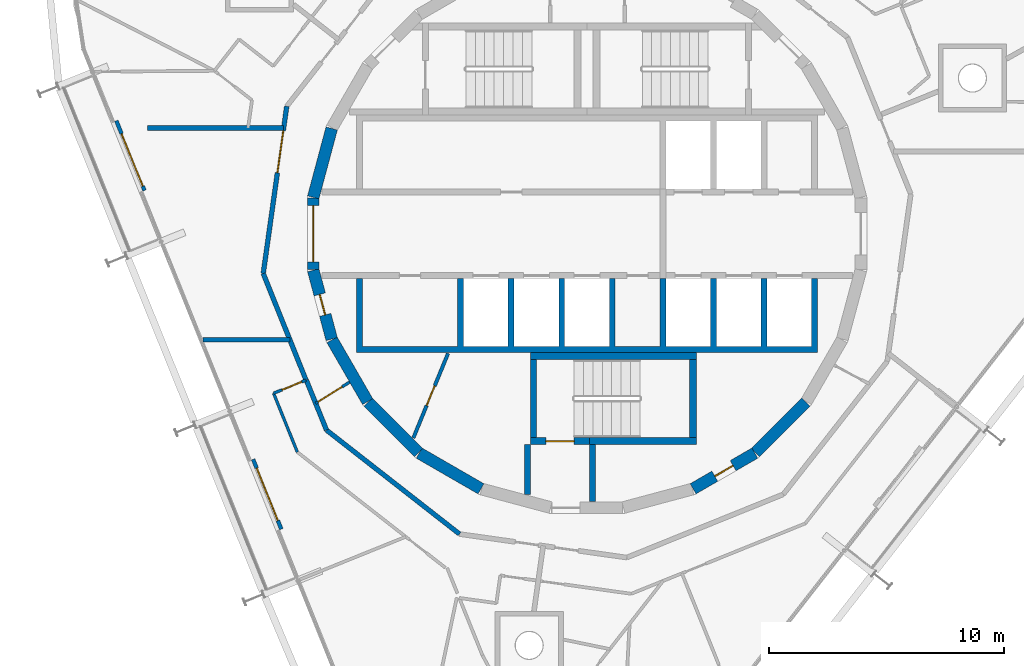
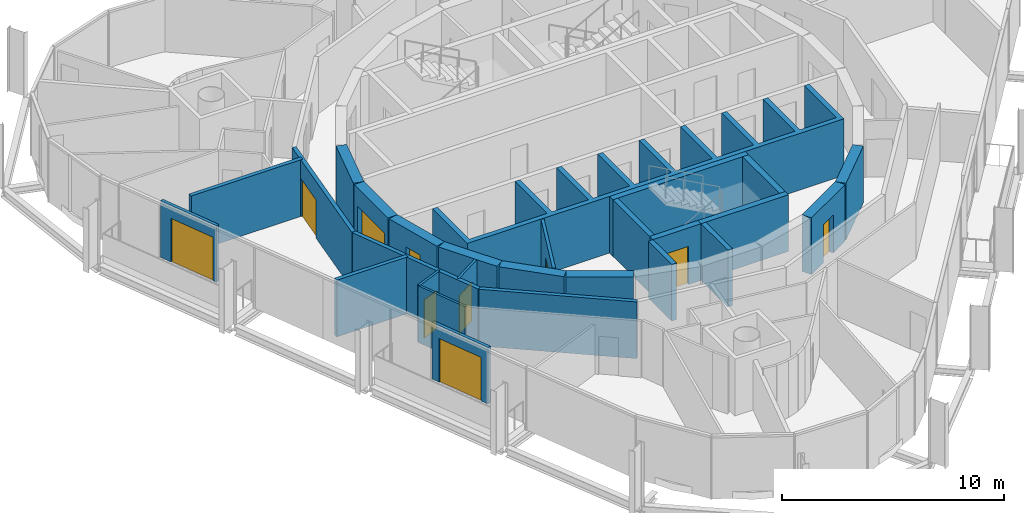
# One storey, part 10 of 15: 28 walls, 10 doors, 10 openings.
"""IFC4 building model written with IfcOpenShell, lengths in metres."""

from ifc_helpers import new_model, si_unit, direction, frame, frame_2d, origin, place, context, subcontext, project, spatial, polyline, rectangle, outline, extrude, material, layer, layer_set, type_object, element, fill, save


model = new_model("IFC4")

# Units and contexts
model_context = context("Model", 3, precision=1e-05, world=origin(), true_north=direction((0.0, 1.0)))
body_context = subcontext(model_context, "Body", "Model", "MODEL_VIEW")
ifc_project = project(units=[si_unit("LENGTHUNIT", "METRE"), si_unit("AREAUNIT", "SQUARE_METRE"), si_unit("VOLUMEUNIT", "CUBIC_METRE"), si_unit("PLANEANGLEUNIT", "RADIAN"), si_unit("MASSUNIT", "GRAM", prefix="KILO")], contexts=[model_context])

# Site, building, storey
site_placement = place(None, origin())
site = spatial("IfcSite", under=ifc_project, at=site_placement, CompositionType="ELEMENT")
building_placement = place(site_placement, origin())
building = spatial("IfcBuilding", under=site, at=building_placement, Name="Spindle Arch Residences", CompositionType="ELEMENT")
storey_placement = place(building_placement, frame((0.0, 0.0, 357.5)))
storey = spatial("IfcBuildingStorey", under=building, at=storey_placement, Name="L92", CompositionType="ELEMENT", Elevation=357.5)

# Wall, opening, door
ifc_material_1 = material(Name="Concrete C50/60", Category="concrete")
ifc_layer_1 = layer(ifc_material_1, 0.5)
ifc_layer_set_1 = layer_set([ifc_layer_1], Name="Core outline wall 500")
wall_type_1 = type_object("IfcWallType", Name="Core outline wall 500", PredefinedType="SHEAR", material=ifc_layer_set_1)
wall_1_placement = place(storey_placement, frame((4.510498046875, -10.84521484375, 0.0), z_axis=(0.0, 0.0, 1.0), x_axis=(0.865975092491, 0.500087131594, 0.0)))
wall_1 = element("IfcWall", 1, at=wall_1_placement, inside=storey, type_object=wall_type_1, Name="Core outline wall 2", PredefinedType="SHEAR", context=body_context, shape_type="SweptSolid", body=[
    extrude(rectangle(XDim=3.03271484375, YDim=0.5, at=frame_2d((1.516357421875, 0.0))), origin(), (0.0, 0.0, 1.0), 3.1201171875),
])
opening_1_placement = place(wall_1_placement, frame((1.06640625, 0.0, 0.0)))
opening_1 = element("IfcOpeningElement", 2, at=opening_1_placement, cuts=wall_1, Name="Opening R9C1-WD08", PredefinedType="OPENING", context=body_context, shape_type="SweptSolid", body=[
    extrude(rectangle(XDim=0.89990234375, YDim=2.10009765625, at=frame_2d((0.449951171875, 1.050048828125))), frame((0.0, 0.260009765625, 0.0), z_axis=(0.0, -1.0, 0.0), x_axis=(1.0, 0.0, 0.0)), (0.0, 0.0, 1.0), 0.52001953125),
])
ifc_material_2 = material(Name="Steel, fire-resisting door", Category="steel")
door_type_1 = type_object("IfcDoorType", Name="Service room door 900x2100", OperationType="SINGLE_SWING_LEFT", PredefinedType="DOOR", material=ifc_material_2)
door_1_placement = place(opening_1_placement, origin())
door_1 = element("IfcDoor", 3, at=door_1_placement, inside=storey, type_object=door_type_1, Name="Service room door R9C1-WD08", OperationType="SINGLE_SWING_RIGHT", OverallHeight=2.10009765625, OverallWidth=0.89990234375, PredefinedType="DOOR", context=body_context, shape_type="SweptSolid", body=[
    extrude(rectangle(XDim=0.89990234375, YDim=2.10009765625, at=frame_2d((0.449951171875, 1.050048828125))), frame((0.0, 0.02490234375, 0.0), z_axis=(0.0, -1.0, 0.0), x_axis=(1.0, 0.0, 0.0)), (0.0, 0.0, 1.0), 0.050048828125),
])
fill(opening_1, door_1)

# Walls
wall_2_placement = place(storey_placement, frame((7.163818359375, -9.30810546875, 0.0), z_axis=(0.0, 0.0, 1.0), x_axis=(0.707106781187, 0.707106781187, 0.0)))
element("IfcWall", 4, at=wall_2_placement, inside=storey, type_object=wall_type_1, Name="Core outline wall 3", PredefinedType="SHEAR", context=body_context, shape_type="SweptSolid", body=[
    extrude(rectangle(XDim=3.032470703125, YDim=0.5, at=frame_2d((1.51611328125, 0.0))), origin(), (0.0, 0.0, 1.0), 3.1201171875),
])
wall_3_placement = place(storey_placement, frame((-10.858154296875, 4.479248046875, 0.0), z_axis=(0.0, 0.0, 1.0), x_axis=(-0.258734743916, -0.965948410781, 0.0)))
element("IfcWall", 5, at=wall_3_placement, inside=storey, type_object=wall_type_1, Name="Core outline wall 17", PredefinedType="SHEAR", context=body_context, shape_type="SweptSolid", body=[
    extrude(rectangle(XDim=3.03271484375, YDim=0.5, at=frame_2d((1.516357421875, 0.0))), origin(), (0.0, 0.0, 1.0), 3.1201171875),
])

# Wall, opening, door
wall_4_placement = place(storey_placement, frame((-11.647216796875, 1.516357421875, 0.0), z_axis=(0.0, 0.0, 1.0), x_axis=(0.0, -1.0, 0.0)))
wall_4 = element("IfcWall", 6, at=wall_4_placement, inside=storey, type_object=wall_type_1, Name="Core outline wall 18", PredefinedType="SHEAR", context=body_context, shape_type="SweptSolid", body=[
    extrude(rectangle(XDim=3.03271484375, YDim=0.5, at=frame_2d((1.516357421875, 0.0))), origin(), (0.0, 0.0, 1.0), 3.1201171875),
])
opening_2_placement = place(wall_4_placement, frame((0.31640625, 0.0, 0.0)))
opening_2 = element("IfcOpeningElement", 7, at=opening_2_placement, cuts=wall_4, Name="Opening R9C1-LE01", PredefinedType="OPENING", context=body_context, shape_type="SweptSolid", body=[
    extrude(rectangle(XDim=2.39990234375, YDim=2.10009765625, at=frame_2d((1.199951171875, 1.050048828125))), frame((0.0, 0.260009765625, 0.0), z_axis=(0.0, -1.0, 0.0), x_axis=(1.0, 0.0, 0.0)), (0.0, 0.0, 1.0), 0.52001953125),
])
ifc_material_3 = material(Name="Steel, fire-resisting door", Category="steel")
door_type_2 = type_object("IfcDoorType", Name="Lift lobby entrance door 2400x2100", OperationType="DOUBLE_DOOR_SINGLE_SWING", PredefinedType="DOOR", material=ifc_material_3)
door_2_placement = place(opening_2_placement, origin())
door_2 = element("IfcDoor", 8, at=door_2_placement, inside=storey, type_object=door_type_2, Name="Lift lobby entrance door R9C1-LE01", OperationType="DOUBLE_DOOR_SINGLE_SWING", OverallHeight=2.10009765625, OverallWidth=2.39990234375, PredefinedType="DOOR", context=body_context, shape_type="SweptSolid", body=[
    extrude(rectangle(XDim=2.39990234375, YDim=2.10009765625, at=frame_2d((1.199951171875, 1.050048828125))), frame((0.0, 0.02490234375, 0.0), z_axis=(0.0, -1.0, 0.0), x_axis=(1.0, 0.0, 0.0)), (0.0, 0.0, 1.0), 0.050048828125),
])
fill(opening_2, door_2)

wall_5_placement = place(storey_placement, frame((-11.642822265625, -1.5498046875, 0.0), z_axis=(0.0, 0.0, 1.0), x_axis=(0.258734743916, -0.965948410781, 0.0)))
wall_5 = element("IfcWall", 9, at=wall_5_placement, inside=storey, type_object=wall_type_1, Name="Core outline wall 19", PredefinedType="SHEAR", context=body_context, shape_type="SweptSolid", body=[
    extrude(rectangle(XDim=3.03271484375, YDim=0.5, at=frame_2d((1.516357421875, 0.0))), origin(), (0.0, 0.0, 1.0), 3.1201171875),
])
opening_3_placement = place(wall_5_placement, frame((1.06640625, 0.0, 0.0)))
opening_3 = element("IfcOpeningElement", 10, at=opening_3_placement, cuts=wall_5, Name="Opening R9C1-WD09", PredefinedType="OPENING", context=body_context, shape_type="SweptSolid", body=[
    extrude(rectangle(XDim=0.89990234375, YDim=2.10009765625, at=frame_2d((0.449951171875, 1.050048828125))), frame((0.0, 0.260009765625, 0.0), z_axis=(0.0, -1.0, 0.0), x_axis=(1.0, 0.0, 0.0)), (0.0, 0.0, 1.0), 0.52001953125),
])
door_3_placement = place(opening_3_placement, origin())
door_3 = element("IfcDoor", 11, at=door_3_placement, inside=storey, type_object=door_type_1, Name="Service room door R9C1-WD09", OperationType="SINGLE_SWING_LEFT", OverallHeight=2.10009765625, OverallWidth=0.89990234375, PredefinedType="DOOR", context=body_context, shape_type="SweptSolid", body=[
    extrude(rectangle(XDim=0.89990234375, YDim=2.10009765625, at=frame_2d((0.449951171875, 1.050048828125))), frame((0.0, 0.02490234375, 0.0), z_axis=(0.0, -1.0, 0.0), x_axis=(1.0, 0.0, 0.0)), (0.0, 0.0, 1.0), 0.050048828125),
])
fill(opening_3, door_3)

# Walls
wall_6_placement = place(storey_placement, frame((-10.84521484375, -4.510498046875, 0.0), z_axis=(0.0, 0.0, 1.0), x_axis=(0.500087131594, -0.865975092491, 0.0)))
element("IfcWall", 12, at=wall_6_placement, inside=storey, type_object=wall_type_1, Name="Core outline wall 20", PredefinedType="SHEAR", context=body_context, shape_type="SweptSolid", body=[
    extrude(rectangle(XDim=3.03271484375, YDim=0.5, at=frame_2d((1.516357421875, 0.0))), origin(), (0.0, 0.0, 1.0), 3.1201171875),
])
wall_7_placement = place(storey_placement, frame((-9.30810546875, -7.163818359375, 0.0), z_axis=(0.0, 0.0, 1.0), x_axis=(0.707106781187, -0.707106781187, 0.0)))
element("IfcWall", 13, at=wall_7_placement, inside=storey, type_object=wall_type_1, Name="Core outline wall 21", PredefinedType="SHEAR", context=body_context, shape_type="SweptSolid", body=[
    extrude(rectangle(XDim=3.032470703125, YDim=0.5, at=frame_2d((1.51611328125, 0.0))), origin(), (0.0, 0.0, 1.0), 3.1201171875),
])
wall_8_placement = place(storey_placement, frame((-7.13671875, -9.32861328125, 0.0), z_axis=(0.0, 0.0, 1.0), x_axis=(0.865975092491, -0.500087131594, 0.0)))
element("IfcWall", 14, at=wall_8_placement, inside=storey, type_object=wall_type_1, Name="Core outline wall 22", PredefinedType="SHEAR", context=body_context, shape_type="SweptSolid", body=[
    extrude(rectangle(XDim=3.03271484375, YDim=0.5, at=frame_2d((1.516357421875, 0.0))), origin(), (0.0, 0.0, 1.0), 3.1201171875),
])

# Wall, opening, door
ifc_material_4 = material(Name="Plasterboard on steel studs", Category="steel")
ifc_layer_2 = layer(ifc_material_4, 0.1201171875)
ifc_layer_set_2 = layer_set([ifc_layer_2], Name="Corridor division wall 120")
wall_type_2 = type_object("IfcWallType", Name="Corridor division wall 120", PredefinedType="PARTITIONING", material=ifc_layer_set_2)
wall_9_placement = place(storey_placement, frame((-11.539306640625, -7.21044921875, 0.0), z_axis=(0.0, 0.0, 1.0), x_axis=(0.848103039868, 0.529831325769, 0.0)))
wall_9 = element("IfcWall", 15, at=wall_9_placement, inside=storey, type_object=wall_type_2, Name="Corridor division wall R9C1-W003", PredefinedType="PARTITIONING", context=body_context, shape_type="SweptSolid", body=[
    extrude(rectangle(XDim=1.7021484375, YDim=0.1201171875, at=frame_2d((0.85107421875, 0.0))), origin(), (0.0, 0.0, 1.0), 3.1201171875),
])
opening_4_placement = place(wall_9_placement, frame((0.1201171875, 0.0, 0.0)))
opening_4 = element("IfcOpeningElement", 16, at=opening_4_placement, cuts=wall_9, Name="Opening R9C1-CD03", PredefinedType="OPENING", context=body_context, shape_type="SweptSolid", body=[
    extrude(rectangle(XDim=1.199951171875, YDim=2.10009765625, at=frame_2d((0.60009765625, 1.050048828125))), frame((0.0, 0.070068359375, 0.0), z_axis=(0.0, -1.0, 0.0), x_axis=(1.0, 0.0, 0.0)), (0.0, 0.0, 1.0), 0.14013671875),
])
ifc_material_5 = material(Name="Steel, fire-resisting door", Category="steel")
door_type_3 = type_object("IfcDoorType", Name="Corridor division door 1200x2100", OperationType="NOTDEFINED", PredefinedType="DOOR", material=ifc_material_5)
door_4_placement = place(opening_4_placement, origin())
door_4 = element("IfcDoor", 17, at=door_4_placement, inside=storey, type_object=door_type_3, Name="Corridor division door R9C1-CD03", OperationType="DOUBLE_DOOR_SINGLE_SWING", OverallHeight=2.10009765625, OverallWidth=1.199951171875, PredefinedType="DOOR", context=body_context, shape_type="SweptSolid", body=[
    extrude(rectangle(XDim=1.199951171875, YDim=2.10009765625, at=frame_2d((0.60009765625, 1.050048828125))), frame((0.0, 0.02490234375, 0.0), z_axis=(0.0, -1.0, 0.0), x_axis=(1.0, 0.0, 0.0)), (0.0, 0.0, 1.0), 0.050048828125),
])
fill(opening_4, door_4)

# Walls
ifc_material_6 = material(Name="Calcium silicate block, plastered")
ifc_layer_3 = layer(ifc_material_6, 0.199951171875)
ifc_layer_set_3 = layer_set([ifc_layer_3], Name="Corridor wall 200")
wall_type_3 = type_object("IfcWallType", Name="Corridor wall 200", PredefinedType="STANDARD", material=ifc_layer_set_3)
wall_10_placement = place(storey_placement, frame((-11.939453125, -6.2197265625, 0.0), z_axis=(0.0, 0.0, 1.0), x_axis=(0.374651128394, -0.927165860024, 0.0)))
element("IfcWall", 18, at=wall_10_placement, inside=storey, type_object=wall_type_3, Name="Corridor wall R9C1-W013", PredefinedType="STANDARD", context=body_context, shape_type="SweptSolid", body=[
    extrude(rectangle(XDim=2.29638671875, YDim=0.199951171875, at=frame_2d((1.148193359375, 0.0))), origin(), (0.0, 0.0, 1.0), 3.1201171875),
])
wall_11_placement = place(storey_placement, frame((-11.0791015625, -8.348876953125, 0.0), z_axis=(0.0, 0.0, 1.0), x_axis=(0.78800478687, -0.615669112324, 0.0)))
element("IfcWall", 19, at=wall_11_placement, inside=storey, type_object=wall_type_3, Name="Corridor wall R9C1-W014", PredefinedType="STANDARD", context=body_context, shape_type="SweptSolid", body=[
    extrude(rectangle(XDim=7.18115234375, YDim=0.199951171875, at=frame_2d((3.590576171875, 0.0))), origin(), (0.0, 0.0, 1.0), 3.1201171875),
])

# Wall, opening, door
ifc_material_7 = material(Name="Plasterboard on steel studs", Category="steel")
ifc_layer_4 = layer(ifc_material_7, 0.1201171875)
ifc_layer_set_4 = layer_set([ifc_layer_4], Name="Flat partition 120")
wall_type_4 = type_object("IfcWallType", Name="Flat partition 120", PredefinedType="PARTITIONING", material=ifc_layer_set_4)
wall_12_placement = place(storey_placement, frame((-11.953369140625, -6.225341796875, 0.0), z_axis=(0.0, 0.0, 1.0), x_axis=(-0.927144096717, -0.374704982518, 0.0)))
wall_12 = element("IfcWall", 20, at=wall_12_placement, inside=storey, type_object=wall_type_4, Name="Flat partition R9C1-W068", PredefinedType="PARTITIONING", context=body_context, shape_type="SweptSolid", body=[
    extrude(rectangle(XDim=1.48486328125, YDim=0.1201171875, at=frame_2d((0.742431640625, 0.0))), origin(), (0.0, 0.0, 1.0), 3.1201171875),
])
opening_5_placement = place(wall_12_placement, frame((0.199951171875, 0.0, 0.0)))
opening_5 = element("IfcOpeningElement", 21, at=opening_5_placement, cuts=wall_12, Name="Opening R9C1-ID14", PredefinedType="OPENING", context=body_context, shape_type="SweptSolid", body=[
    extrude(rectangle(XDim=0.89990234375, YDim=2.10009765625, at=frame_2d((0.449951171875, 1.050048828125))), frame((0.0, 0.070068359375, 0.0), z_axis=(0.0, -1.0, 0.0), x_axis=(1.0, 0.0, 0.0)), (0.0, 0.0, 1.0), 0.14013671875),
])
ifc_material_8 = material(Name="Timber door set", Category="wood")
door_type_4 = type_object("IfcDoorType", Name="Room door 900x2100", OperationType="NOTDEFINED", PredefinedType="DOOR", material=ifc_material_8)
door_5_placement = place(opening_5_placement, origin())
door_5 = element("IfcDoor", 22, at=door_5_placement, inside=storey, type_object=door_type_4, Name="Room door R9C1-ID14", OperationType="SINGLE_SWING_LEFT", OverallHeight=2.10009765625, OverallWidth=0.89990234375, PredefinedType="DOOR", context=body_context, shape_type="SweptSolid", body=[
    extrude(rectangle(XDim=0.89990234375, YDim=2.10009765625, at=frame_2d((0.449951171875, 1.050048828125))), frame((0.0, 0.02490234375, 0.0), z_axis=(0.0, -1.0, 0.0), x_axis=(1.0, 0.0, 0.0)), (0.0, 0.0, 1.0), 0.050048828125),
])
fill(opening_5, door_5)

# Wall
wall_13_placement = place(storey_placement, frame((-13.330078125, -6.78173828125, 0.0), z_axis=(0.0, 0.0, 1.0), x_axis=(0.374602180132, -0.927185637637, 0.0)))
element("IfcWall", 23, at=wall_13_placement, inside=storey, type_object=wall_type_4, Name="Flat partition R9C1-W069", PredefinedType="PARTITIONING", context=body_context, shape_type="SweptSolid", body=[
    extrude(rectangle(XDim=2.6982421875, YDim=0.1201171875, at=frame_2d((1.34912109375, 0.0))), origin(), (0.0, 0.0, 1.0), 3.1201171875),
])

# Wall, opening, door
ifc_material_9 = material(Name="Non-combustible mineral wool insulated aluminium faced external wall (K0)", Category="aluminium")
ifc_layer_5 = layer(ifc_material_9, 0.159912109375)
ifc_layer_set_5 = layer_set([ifc_layer_5], Name="Insulated external wall panel 160")
wall_type_5 = type_object("IfcWallType", Name="Insulated external wall panel 160", PredefinedType="STANDARD", material=ifc_layer_set_5)
wall_14_placement = place(storey_placement, frame((-20.01611328125, 4.805908203125, 0.0), z_axis=(0.0, 0.0, 1.0), x_axis=(0.374598019739, -0.927187318511, 0.0)))
wall_14 = element("IfcWall", 24, at=wall_14_placement, inside=storey, type_object=wall_type_5, Name="External wall L92 bay 12", PredefinedType="STANDARD", context=body_context, shape_type="SweptSolid", body=[
    extrude(rectangle(XDim=3.199951171875, YDim=0.159912109375, at=frame_2d((1.60009765625, 0.0))), origin(), (0.0, 0.0, 1.0), 3.1201171875),
])
opening_6_placement = place(wall_14_placement, frame((0.60009765625, 0.0, 0.0)))
opening_6 = element("IfcOpeningElement", 25, at=opening_6_placement, cuts=wall_14, Name="Opening BD12", PredefinedType="OPENING", context=body_context, shape_type="SweptSolid", body=[
    extrude(rectangle(XDim=2.39990234375, YDim=2.39990234375, at=frame_2d((1.199951171875, 1.199951171875))), frame((0.0, 0.08984375, 0.0), z_axis=(0.0, -1.0, 0.0), x_axis=(1.0, 0.0, 0.0)), (0.0, 0.0, 1.0), 0.179931640625),
])
ifc_material_10 = material(Name="Bronze aluminium frame, tinted double glazing", Category="aluminium")
door_type_5 = type_object("IfcDoorType", Name="Sliding glazed balcony door 2400x2400", OperationType="DOUBLE_DOOR_SLIDING", PredefinedType="DOOR", material=ifc_material_10)
door_6_placement = place(opening_6_placement, origin())
door_6 = element("IfcDoor", 26, at=door_6_placement, inside=storey, type_object=door_type_5, Name="Balcony door BD12", OperationType="DOUBLE_DOOR_SLIDING", OverallHeight=2.39990234375, OverallWidth=2.39990234375, PredefinedType="DOOR", context=body_context, shape_type="SweptSolid", body=[
    extrude(rectangle(XDim=2.39990234375, YDim=2.39990234375, at=frame_2d((1.199951171875, 1.199951171875))), frame((0.0, 0.02490234375, 0.0), z_axis=(0.0, -1.0, 0.0), x_axis=(1.0, 0.0, 0.0)), (0.0, 0.0, 1.0), 0.050048828125),
])
fill(opening_6, door_6)

wall_15_placement = place(storey_placement, frame((-14.1982421875, -9.594482421875, 0.0), z_axis=(0.0, 0.0, 1.0), x_axis=(0.374624519695, -0.927176611678, 0.0)))
wall_15 = element("IfcWall", 27, at=wall_15_placement, inside=storey, type_object=wall_type_5, Name="External wall L92 bay 14", PredefinedType="STANDARD", context=body_context, shape_type="SweptSolid", body=[
    extrude(rectangle(XDim=3.19970703125, YDim=0.159912109375, at=frame_2d((1.599853515625, 0.0))), origin(), (0.0, 0.0, 1.0), 3.1201171875),
])
opening_7_placement = place(wall_15_placement, frame((0.39990234375, 0.0, 0.0)))
opening_7 = element("IfcOpeningElement", 28, at=opening_7_placement, cuts=wall_15, Name="Opening BD14", PredefinedType="OPENING", context=body_context, shape_type="SweptSolid", body=[
    extrude(rectangle(XDim=2.39990234375, YDim=2.39990234375, at=frame_2d((1.199951171875, 1.199951171875))), frame((0.0, 0.08984375, 0.0), z_axis=(0.0, -1.0, 0.0), x_axis=(1.0, 0.0, 0.0)), (0.0, 0.0, 1.0), 0.179931640625),
])
door_7_placement = place(opening_7_placement, origin())
door_7 = element("IfcDoor", 29, at=door_7_placement, inside=storey, type_object=door_type_5, Name="Balcony door BD14", OperationType="DOUBLE_DOOR_SLIDING", OverallHeight=2.39990234375, OverallWidth=2.39990234375, PredefinedType="DOOR", context=body_context, shape_type="SweptSolid", body=[
    extrude(rectangle(XDim=2.39990234375, YDim=2.39990234375, at=frame_2d((1.199951171875, 1.199951171875))), frame((0.0, 0.02490234375, 0.0), z_axis=(0.0, -1.0, 0.0), x_axis=(1.0, 0.0, 0.0)), (0.0, 0.0, 1.0), 0.050048828125),
])
fill(opening_7, door_7)

ifc_material_11 = material(Name="Calcium silicate block, plastered")
ifc_layer_6 = layer(ifc_material_11, 0.199951171875)
ifc_layer_set_6 = layer_set([ifc_layer_6], Name="Lift lobby bay wall 200")
wall_type_6 = type_object("IfcWallType", Name="Lift lobby bay wall 200", PredefinedType="STANDARD", material=ifc_layer_set_6)
wall_16_placement = place(storey_placement, frame((-12.77001953125, 5.42041015625, 0.0), z_axis=(0.0, 0.0, 1.0), x_axis=(-0.139155334385, -0.990270565508, 0.0)))
wall_16 = element("IfcWall", 30, at=wall_16_placement, inside=storey, type_object=wall_type_6, Name="Lift lobby bay wall R9C1-W009", PredefinedType="STANDARD", context=body_context, shape_type="SweptSolid", body=[
    extrude(rectangle(XDim=7.180908203125, YDim=0.199951171875, at=frame_2d((3.59033203125, 0.0))), origin(), (0.0, 0.0, 1.0), 3.1201171875),
])
opening_8_placement = place(wall_16_placement, frame((1.0546875, 0.0, 0.0)))
opening_8 = element("IfcOpeningElement", 31, at=opening_8_placement, cuts=wall_16, Name="Opening R9C1-LB01", PredefinedType="OPENING", context=body_context, shape_type="SweptSolid", body=[
    extrude(rectangle(XDim=1.800048828125, YDim=2.10009765625, at=frame_2d((0.89990234375, 1.050048828125))), frame((0.0, 0.10986328125, 0.0), z_axis=(0.0, -1.0, 0.0), x_axis=(1.0, 0.0, 0.0)), (0.0, 0.0, 1.0), 0.219970703125),
])
ifc_material_12 = material(Name="Steel, fire-resisting door", Category="steel")
door_type_6 = type_object("IfcDoorType", Name="Lift lobby bay door 1800x2100", OperationType="NOTDEFINED", PredefinedType="DOOR", material=ifc_material_12)
door_8_placement = place(opening_8_placement, origin())
door_8 = element("IfcDoor", 32, at=door_8_placement, inside=storey, type_object=door_type_6, Name="Lift lobby bay door R9C1-LB01", OperationType="DOUBLE_DOOR_SINGLE_SWING", OverallHeight=2.10009765625, OverallWidth=1.800048828125, PredefinedType="DOOR", context=body_context, shape_type="SweptSolid", body=[
    extrude(rectangle(XDim=1.800048828125, YDim=2.10009765625, at=frame_2d((0.89990234375, 1.050048828125))), frame((0.0, 0.02490234375, 0.0), z_axis=(0.0, -1.0, 0.0), x_axis=(1.0, 0.0, 0.0)), (0.0, 0.0, 1.0), 0.050048828125),
])
fill(opening_8, door_8)

# Walls
wall_17_placement = place(storey_placement, frame((-13.769287109375, -1.690673828125, 0.0), z_axis=(0.0, 0.0, 1.0), x_axis=(0.372720094028, -0.927943819155, 0.0)))
element("IfcWall", 33, at=wall_17_placement, inside=storey, type_object=wall_type_6, Name="Lift lobby bay wall R9C1-W010", PredefinedType="STANDARD", context=body_context, shape_type="SweptSolid", body=[
    extrude(rectangle(XDim=4.874755859375, YDim=0.199951171875, at=frame_2d((2.4375, 0.0))), origin(), (0.0, 0.0, 1.0), 3.1201171875),
])
wall_18_placement = place(storey_placement, frame((-12.8994140625, 4.5, 0.0), z_axis=(0.0, 0.0, 1.0), x_axis=(-1.0, 0.0, 0.0)))
element("IfcWall", 34, at=wall_18_placement, inside=storey, type_object=wall_type_6, Name="Lift lobby bay wall R9C1-W017", PredefinedType="STANDARD", context=body_context, shape_type="SweptSolid", body=[
    extrude(rectangle(XDim=5.800537109375, YDim=0.199951171875, at=frame_2d((2.900390625, 0.0))), origin(), (0.0, 0.0, 1.0), 3.1201171875),
])
wall_19_placement = place(storey_placement, frame((-16.338623046875, -4.510009765625, 0.0), z_axis=(0.0, 0.0, 1.0), x_axis=(1.0, 0.0, 0.0)))
element("IfcWall", 35, at=wall_19_placement, inside=storey, type_object=wall_type_6, Name="Lift lobby bay wall R9C1-W018", PredefinedType="STANDARD", context=body_context, shape_type="SweptSolid", body=[
    extrude(rectangle(XDim=3.697509765625, YDim=0.199951171875, at=frame_2d((1.8486328125, 0.0))), origin(), (0.0, 0.0, 1.0), 3.1201171875),
])
ifc_material_13 = material(Name="Concrete C50/60", Category="concrete")
wall_type_7 = type_object("IfcWallType", Name="Lift shaft wall profile", PredefinedType="SHEAR", material=ifc_material_13)
wall_20_placement = place(storey_placement, origin())
element("IfcWall", 36, at=wall_20_placement, inside=storey, type_object=wall_type_7, Name="Lift shaft walls S", PredefinedType="SHEAR", context=body_context, shape_type="SweptSolid", body=[
    extrude(outline(polyline([(9.800048828125, -5.050048828125), (9.800048828125, -4.800048828125), (9.800048828125, -1.89990234375), (9.550048828125, -1.89990234375), (9.550048828125, -4.800048828125), (7.64990234375, -4.800048828125), (7.64990234375, -1.89990234375), (7.39990234375, -1.89990234375), (7.39990234375, -4.800048828125), (5.5, -4.800048828125), (5.5, -1.89990234375), (5.25, -1.89990234375), (5.25, -4.800048828125), (3.35009765625, -4.800048828125), (3.35009765625, -1.89990234375), (3.10009765625, -1.89990234375), (3.10009765625, -4.800048828125), (1.199951171875, -4.800048828125), (1.199951171875, -1.89990234375), (0.949951171875, -1.89990234375), (0.949951171875, -4.800048828125), (-0.949951171875, -4.800048828125), (-0.949951171875, -1.89990234375), (-1.199951171875, -1.89990234375), (-1.199951171875, -4.800048828125), (-3.10009765625, -4.800048828125), (-3.10009765625, -1.89990234375), (-3.35009765625, -1.89990234375), (-3.35009765625, -4.800048828125), (-5.25, -4.800048828125), (-5.25, -1.89990234375), (-5.5, -1.89990234375), (-5.5, -4.800048828125), (-9.550048828125, -4.800048828125), (-9.550048828125, -1.89990234375), (-9.800048828125, -1.89990234375), (-9.800048828125, -4.800048828125), (-9.800048828125, -5.050048828125), (9.800048828125, -5.050048828125)])), origin(), (0.0, 0.0, 1.0), 3.1201171875),
])

# Wall, opening, door
ifc_material_14 = material(Name="Concrete C25/30", Category="concrete")
ifc_layer_7 = layer(ifc_material_14, 0.14990234375)
ifc_layer_set_7 = layer_set([ifc_layer_7], Name="Service room partition 150")
wall_type_8 = type_object("IfcWallType", Name="Service room partition 150", PredefinedType="PARTITIONING", material=ifc_layer_set_7)
wall_21_placement = place(storey_placement, frame((-7.385009765625, -8.680908203125, 0.0), z_axis=(0.0, 0.0, 1.0), x_axis=(0.379804590409, 0.925066739811, 0.0)))
wall_21 = element("IfcWall", 37, at=wall_21_placement, inside=storey, type_object=wall_type_8, Name="Core service room partition", PredefinedType="PARTITIONING", context=body_context, shape_type="SweptSolid", body=[
    extrude(rectangle(XDim=3.885009765625, YDim=0.14990234375, at=frame_2d((1.9423828125, 0.0))), origin(), (0.0, 0.0, 1.0), 3.1201171875),
])
opening_9_placement = place(wall_21_placement, frame((1.49267578125, 0.0, 0.0)))
opening_9 = element("IfcOpeningElement", 38, at=opening_9_placement, cuts=wall_21, Name="Opening R9C1-WD05", PredefinedType="OPENING", context=body_context, shape_type="SweptSolid", body=[
    extrude(rectangle(XDim=0.89990234375, YDim=2.10009765625, at=frame_2d((0.449951171875, 1.050048828125))), frame((0.0, 0.0849609375, 0.0), z_axis=(0.0, -1.0, 0.0), x_axis=(1.0, 0.0, 0.0)), (0.0, 0.0, 1.0), 0.169921875),
])
door_9_placement = place(opening_9_placement, origin())
door_9 = element("IfcDoor", 39, at=door_9_placement, inside=storey, type_object=door_type_1, Name="Service room door R9C1-WD05", OperationType="SINGLE_SWING_LEFT", OverallHeight=2.10009765625, OverallWidth=0.89990234375, PredefinedType="DOOR", context=body_context, shape_type="SweptSolid", body=[
    extrude(rectangle(XDim=0.89990234375, YDim=2.10009765625, at=frame_2d((0.449951171875, 1.050048828125))), frame((0.0, 0.02490234375, 0.0), z_axis=(0.0, -1.0, 0.0), x_axis=(1.0, 0.0, 0.0)), (0.0, 0.0, 1.0), 0.050048828125),
])
fill(opening_9, door_9)

# Walls
ifc_material_15 = material(Name="Concrete C40/50", Category="concrete")
ifc_layer_8 = layer(ifc_material_15, 0.25)
ifc_layer_set_8 = layer_set([ifc_layer_8], Name="Stair airlock wall 250")
wall_type_9 = type_object("IfcWallType", Name="Stair airlock wall 250", PredefinedType="SHEAR", material=ifc_layer_set_8)
wall_22_placement = place(storey_placement, frame((-2.52490234375, -8.969970703125, 0.0), z_axis=(0.0, 0.0, 1.0), x_axis=(0.0, -1.0, 0.0)))
element("IfcWall", 40, at=wall_22_placement, inside=storey, type_object=wall_type_9, Name="Stair ST-3 airlock wall W", PredefinedType="SHEAR", context=body_context, shape_type="SweptSolid", body=[
    extrude(rectangle(XDim=2.110107421875, YDim=0.25, at=frame_2d((1.05517578125, 0.0))), origin(), (0.0, 0.0, 1.0), 3.1201171875),
])
wall_23_placement = place(storey_placement, frame((0.22509765625, -8.969970703125, 0.0), z_axis=(0.0, 0.0, 1.0), x_axis=(0.0, -1.0, 0.0)))
element("IfcWall", 41, at=wall_23_placement, inside=storey, type_object=wall_type_9, Name="Stair ST-3 airlock wall E", PredefinedType="SHEAR", context=body_context, shape_type="SweptSolid", body=[
    extrude(rectangle(XDim=2.409912109375, YDim=0.25, at=frame_2d((1.205078125, 0.0))), origin(), (0.0, 0.0, 1.0), 3.1201171875),
])
ifc_material_16 = material(Name="Concrete C50/60", Category="concrete")
ifc_layer_9 = layer(ifc_material_16, 0.25)
ifc_layer_set_9 = layer_set([ifc_layer_9], Name="Stair enclosure wall 250")
wall_type_10 = type_object("IfcWallType", Name="Stair enclosure wall 250", PredefinedType="SHEAR", material=ifc_layer_set_9)
wall_24_placement = place(storey_placement, frame((-2.27490234375, -8.669921875, 0.0), z_axis=(0.0, 0.0, 1.0), x_axis=(0.0, 1.0, 0.0)))
element("IfcWall", 42, at=wall_24_placement, inside=storey, type_object=wall_type_10, Name="Stair ST-3 enclosure wall W", PredefinedType="SHEAR", context=body_context, shape_type="SweptSolid", body=[
    extrude(rectangle(XDim=3.31982421875, YDim=0.25, at=frame_2d((1.659912109375, 0.0))), origin(), (0.0, 0.0, 1.0), 3.1201171875),
])
ifc_material_17 = material(Name="Concrete C50/60", Category="concrete")
ifc_layer_10 = layer(ifc_material_17, 0.300048828125)
ifc_layer_set_10 = layer_set([ifc_layer_10], Name="Stair enclosure wall 300")
wall_type_11 = type_object("IfcWallType", Name="Stair enclosure wall 300", PredefinedType="SHEAR", material=ifc_layer_set_10)
wall_25_placement = place(storey_placement, frame((-2.39990234375, -5.199951171875, 0.0), z_axis=(0.0, 0.0, 1.0), x_axis=(1.0, 0.0, 0.0)))
element("IfcWall", 43, at=wall_25_placement, inside=storey, type_object=wall_type_11, Name="Stair ST-3 enclosure wall N", PredefinedType="SHEAR", context=body_context, shape_type="SweptSolid", body=[
    extrude(rectangle(XDim=7.0498046875, YDim=0.300048828125, at=frame_2d((3.52490234375, 0.0))), origin(), (0.0, 0.0, 1.0), 3.1201171875),
])
wall_26_placement = place(storey_placement, frame((4.5, -8.669921875, 0.0), z_axis=(0.0, 0.0, 1.0), x_axis=(0.0, 1.0, 0.0)))
element("IfcWall", 44, at=wall_26_placement, inside=storey, type_object=wall_type_11, Name="Stair ST-3 enclosure wall E", PredefinedType="SHEAR", context=body_context, shape_type="SweptSolid", body=[
    extrude(rectangle(XDim=3.31982421875, YDim=0.300048828125, at=frame_2d((1.659912109375, 0.0))), origin(), (0.0, 0.0, 1.0), 3.1201171875),
])
wall_27_placement = place(storey_placement, frame((0.10009765625, -8.820068359375, 0.0), z_axis=(0.0, 0.0, 1.0), x_axis=(1.0, 0.0, 0.0)))
element("IfcWall", 45, at=wall_27_placement, inside=storey, type_object=wall_type_11, Name="Stair ST-3 enclosure wall S", PredefinedType="SHEAR", context=body_context, shape_type="SweptSolid", body=[
    extrude(rectangle(XDim=4.5498046875, YDim=0.300048828125, at=frame_2d((2.27490234375, 0.0))), origin(), (0.0, 0.0, 1.0), 3.1201171875),
])

# Wall, opening, door
wall_28_placement = place(storey_placement, frame((-2.39990234375, -8.820068359375, 0.0), z_axis=(0.0, 0.0, 1.0), x_axis=(1.0, 0.0, 0.0)))
wall_28 = element("IfcWall", 46, at=wall_28_placement, inside=storey, type_object=wall_type_11, Name="Stair ST-3 door wall", PredefinedType="SHEAR", context=body_context, shape_type="SweptSolid", body=[
    extrude(rectangle(XDim=2.5, YDim=0.300048828125, at=frame_2d((1.25, 0.0))), origin(), (0.0, 0.0, 1.0), 3.1201171875),
])
opening_10_placement = place(wall_28_placement, frame((0.64990234375, 0.0, 0.0)))
opening_10 = element("IfcOpeningElement", 47, at=opening_10_placement, cuts=wall_28, Name="Opening R9C1-SD03", PredefinedType="OPENING", context=body_context, shape_type="SweptSolid", body=[
    extrude(rectangle(XDim=1.199951171875, YDim=2.10009765625, at=frame_2d((0.60009765625, 1.050048828125))), frame((0.0, 0.16015625, 0.0), z_axis=(0.0, -1.0, 0.0), x_axis=(1.0, 0.0, 0.0)), (0.0, 0.0, 1.0), 0.320068359375),
])
ifc_material_18 = material(Name="Steel, fire-resisting door", Category="steel")
door_type_7 = type_object("IfcDoorType", Name="Stair door 1200x2100", OperationType="SINGLE_SWING_RIGHT", PredefinedType="DOOR", material=ifc_material_18)
door_10_placement = place(opening_10_placement, origin())
door_10 = element("IfcDoor", 48, at=door_10_placement, inside=storey, type_object=door_type_7, Name="Stair door R9C1-SD03", OperationType="SINGLE_SWING_LEFT", OverallHeight=2.10009765625, OverallWidth=1.199951171875, PredefinedType="DOOR", context=body_context, shape_type="SweptSolid", body=[
    extrude(rectangle(XDim=1.199951171875, YDim=2.10009765625, at=frame_2d((0.60009765625, 1.050048828125))), frame((0.0, 0.02490234375, 0.0), z_axis=(0.0, -1.0, 0.0), x_axis=(1.0, 0.0, 0.0)), (0.0, 0.0, 1.0), 0.050048828125),
])
fill(opening_10, door_10)

save(model, "model.ifc")
